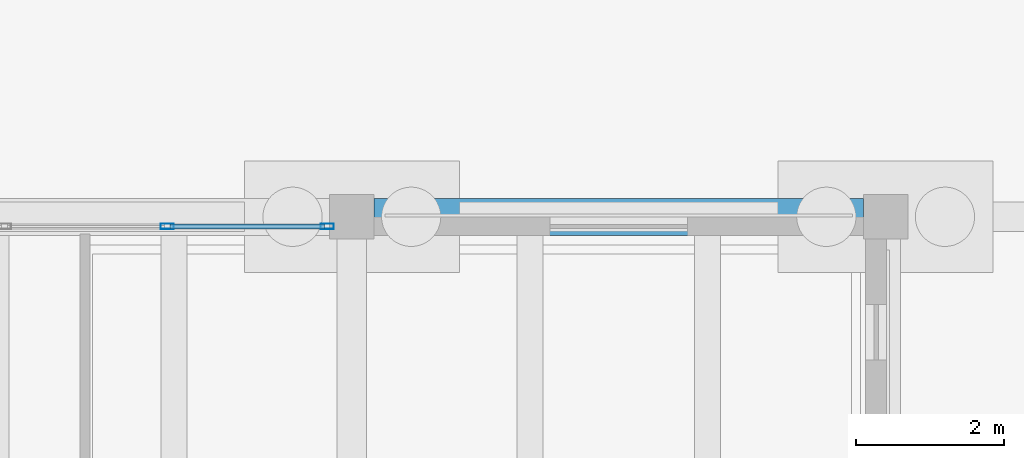
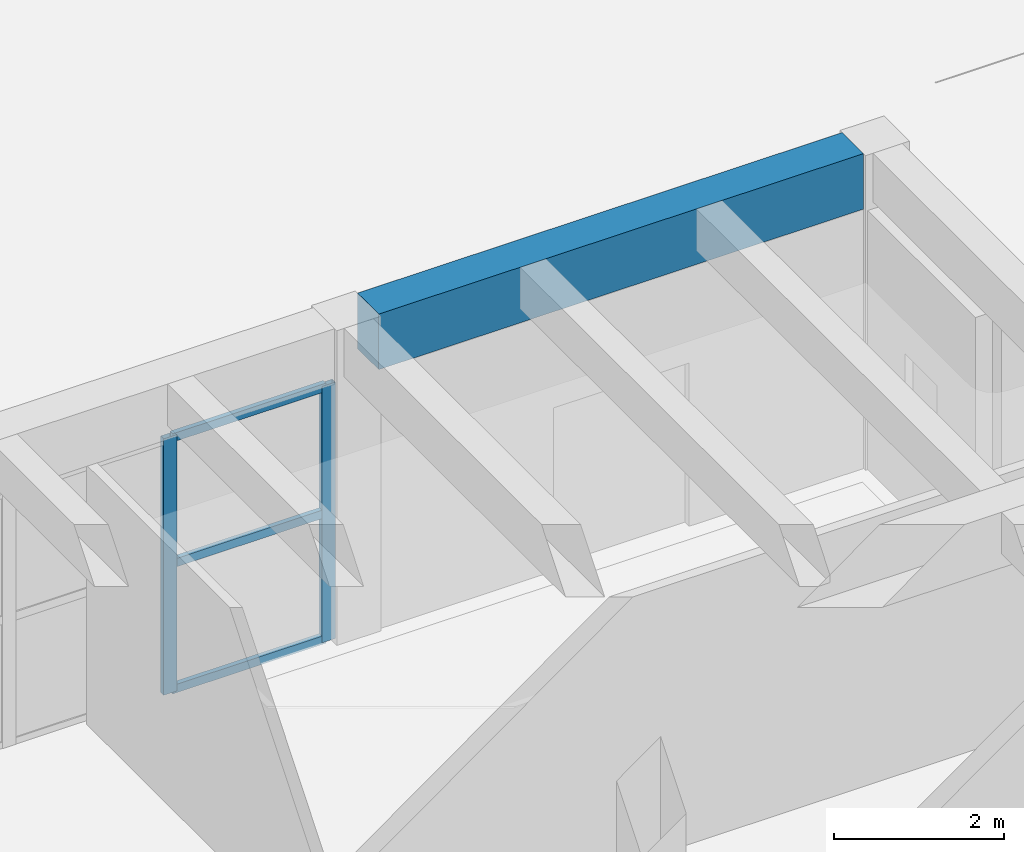
# One storey, part 83 of 155: 5 members, 1 beam, 1 element without a shape of its own.
"""IFC4 building model written with IfcOpenShell, lengths in metres."""

from ifc_helpers import new_model, si_unit, direction, frame, origin, origin_2d, place, context, subcontext, project, spatial, rectangle, hollow_rectangle, extrude, material, material_profile, profile_set, type_object, element, aggregate, save


model = new_model("IFC4")

# Units and contexts
model_context = context("Model", 3, precision=1e-05, world=origin(), true_north=direction((0.0, 1.0)))
body_context = subcontext(model_context, "Body", "Model", "MODEL_VIEW")
ifc_project = project(units=[si_unit("LENGTHUNIT", "METRE"), si_unit("AREAUNIT", "SQUARE_METRE"), si_unit("VOLUMEUNIT", "CUBIC_METRE"), si_unit("PLANEANGLEUNIT", "RADIAN"), si_unit("MASSUNIT", "GRAM", prefix="KILO")], contexts=[model_context])

# Site, building, storey
site_placement = place(None, origin())
site = spatial("IfcSite", under=ifc_project, at=site_placement, CompositionType="ELEMENT")
building_placement = place(site_placement, origin())
building = spatial("IfcBuilding", under=site, at=building_placement, Name="Bramvelor Terrace Health Centre", CompositionType="ELEMENT")
storey_placement = place(building_placement, origin())
storey = spatial("IfcBuildingStorey", under=building, at=storey_placement, Name="L01", CompositionType="ELEMENT", Elevation=0.0)

# Beam
ifc_material_1 = material(Name="Concrete C40/50", Category="concrete")
ifc_material_profile_1 = material_profile(ifc_material_1, rectangle(XDim=0.5, YDim=0.800048828125, at=origin_2d()), Name="RC 500x800")
ifc_profile_set_1 = profile_set([ifc_material_profile_1], Name="Concrete C40/50")
beam_type = type_object("IfcBeamType", Name="BM-RC-G800", PredefinedType="BEAM", material=ifc_profile_set_1)
beam_placement = place(storey_placement, frame((50.699951171875, 100.800048828125, 4.1298828125), z_axis=(1.0, 0.0, 0.0), x_axis=(0.0, 1.0, 0.0)))
element("IfcBeam", 1, at=beam_placement, inside=storey, type_object=beam_type, Name="L01 Floor Girder", PredefinedType="BEAM", context=body_context, shape_type="SweptSolid", body=[
    extrude(rectangle(XDim=0.5, YDim=0.800048828125, at=origin_2d()), origin(), (0.0, 0.0, 1.0), 6.60009765625),
])

# Curtain wall, members
ifc_material_2 = material(Name="Anodized aluminium and double low-E glass", Category="aluminium")
curtain_wall_type = type_object("IfcCurtainWallType", Name="CW-SYS-02", PredefinedType="NOTDEFINED", material=ifc_material_2)
curtain_wall_placement = place(storey_placement, origin())
curtain_wall = element("IfcCurtainWall", 2, at=curtain_wall_placement, inside=storey, type_object=curtain_wall_type, Name="L01 Unitized Curtain Wall 22", PredefinedType="NOTDEFINED")
ifc_material_3 = material(Name="Anodized aluminium 6063-T6", Category="aluminium")
ifc_material_profile_2 = material_profile(ifc_material_3, hollow_rectangle(XDim=0.074951171875, YDim=0.179931640625, WallThickness=0.00341796875, at=origin_2d()), Name="ALU-MUL 75x180x3.5")
ifc_profile_set_2 = profile_set([ifc_material_profile_2], Name="Anodized aluminium 6063-T6")
member_type_1 = type_object("IfcMemberType", Name="CW-MUL-65x180", PredefinedType="MULLION", material=ifc_profile_set_2)
member_1_placement = place(storey_placement, frame((47.909912109375, 100.669921875, 0.0), z_axis=(0.0, 0.0, 1.0), x_axis=(0.0, 1.0, 0.0)))
member_1 = element("IfcMember", 3, at=member_1_placement, type_object=member_type_1, Name="CW-02 mullion 3", PredefinedType="MULLION", context=body_context, shape_type="SweptSolid", body=[
    extrude(hollow_rectangle(XDim=0.074951171875, YDim=0.179931640625, WallThickness=0.00341796875, at=origin_2d()), origin(), (0.0, 0.0, 1.0), 3.68994140625),
])
member_2_placement = place(storey_placement, frame((50.0673828125, 100.669921875, 0.0), z_axis=(0.0, 0.0, 1.0), x_axis=(0.0, 1.0, 0.0)))
member_2 = element("IfcMember", 4, at=member_2_placement, type_object=member_type_1, Name="CW-02 mullion 4", PredefinedType="MULLION", context=body_context, shape_type="SweptSolid", body=[
    extrude(hollow_rectangle(XDim=0.074951171875, YDim=0.179931640625, WallThickness=0.00341796875, at=origin_2d()), origin(), (0.0, 0.0, 1.0), 3.68994140625),
])
ifc_material_4 = material(Name="Anodized aluminium 6063-T6", Category="aluminium")
ifc_material_profile_3 = material_profile(ifc_material_4, hollow_rectangle(XDim=0.06494140625, YDim=0.1201171875, WallThickness=0.0029296875, at=origin_2d()), Name="ALU-TRN 65x120x3.0")
ifc_profile_set_3 = profile_set([ifc_material_profile_3], Name="Anodized aluminium 6063-T6")
member_type_2 = type_object("IfcMemberType", Name="CW-TRN-65x150", PredefinedType="USERDEFINED", material=ifc_profile_set_3)
member_3_placement = place(storey_placement, frame((47.947509765625, 100.669921875, 0.032470703125), z_axis=(1.0, 0.0, 0.0), x_axis=(0.0, 1.0, 0.0)))
member_3 = element("IfcMember", 5, at=member_3_placement, type_object=member_type_2, Name="CW-02 transom 3.1", ObjectType="TRANSOM", PredefinedType="USERDEFINED", context=body_context, shape_type="SweptSolid", body=[
    extrude(hollow_rectangle(XDim=0.06494140625, YDim=0.1201171875, WallThickness=0.0029296875, at=origin_2d()), origin(), (0.0, 0.0, 1.0), 2.08251953125),
])
member_4_placement = place(storey_placement, frame((47.947509765625, 100.669921875, 1.844970703125), z_axis=(1.0, 0.0, 0.0), x_axis=(0.0, 1.0, 0.0)))
member_4 = element("IfcMember", 6, at=member_4_placement, type_object=member_type_2, Name="CW-02 transom 3.2", ObjectType="TRANSOM", PredefinedType="USERDEFINED", context=body_context, shape_type="SweptSolid", body=[
    extrude(hollow_rectangle(XDim=0.06494140625, YDim=0.1201171875, WallThickness=0.0029296875, at=origin_2d()), origin(), (0.0, 0.0, 1.0), 2.08251953125),
])
member_5_placement = place(storey_placement, frame((47.947509765625, 100.669921875, 3.657470703125), z_axis=(1.0, 0.0, 0.0), x_axis=(0.0, 1.0, 0.0)))
member_5 = element("IfcMember", 7, at=member_5_placement, type_object=member_type_2, Name="CW-02 transom 3.3", ObjectType="TRANSOM", PredefinedType="USERDEFINED", context=body_context, shape_type="SweptSolid", body=[
    extrude(hollow_rectangle(XDim=0.06494140625, YDim=0.1201171875, WallThickness=0.0029296875, at=origin_2d()), origin(), (0.0, 0.0, 1.0), 2.08251953125),
])
aggregate(curtain_wall, [member_1, member_2, member_3, member_4, member_5])

save(model, "model.ifc")
